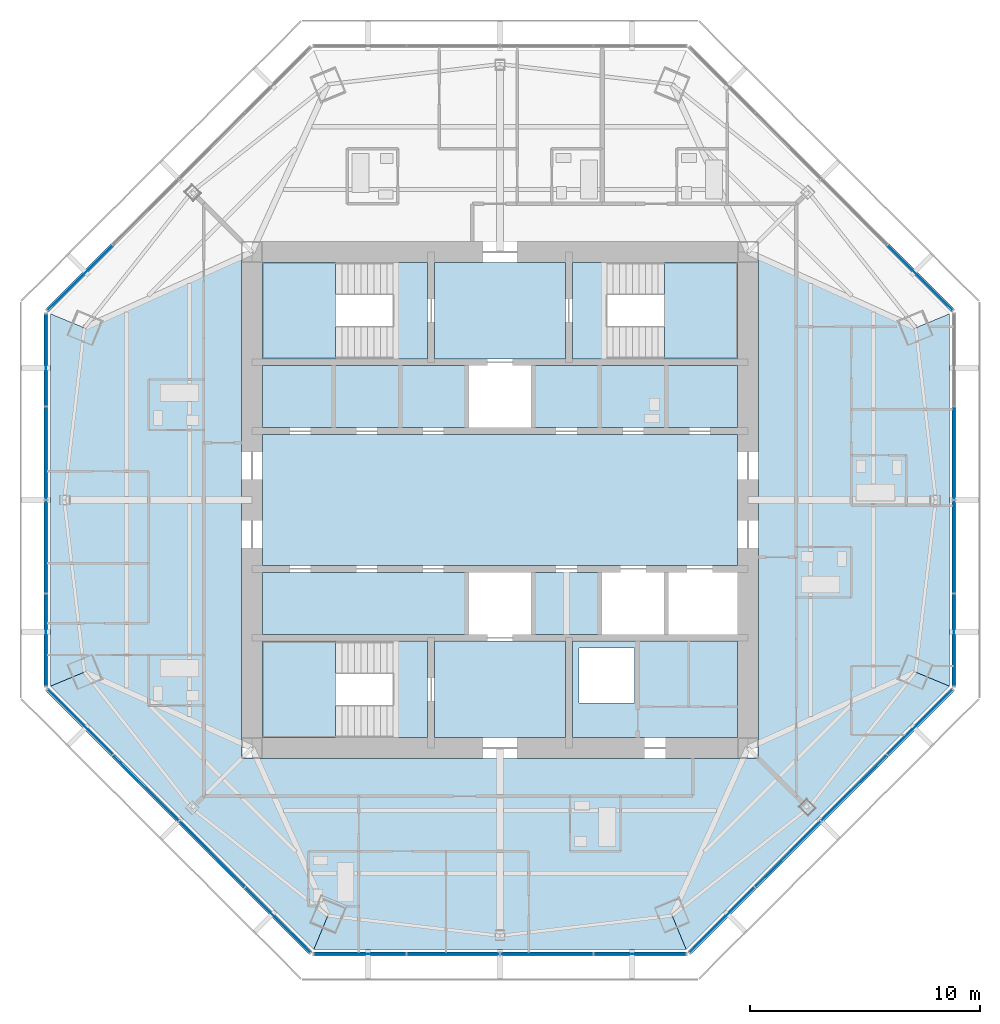
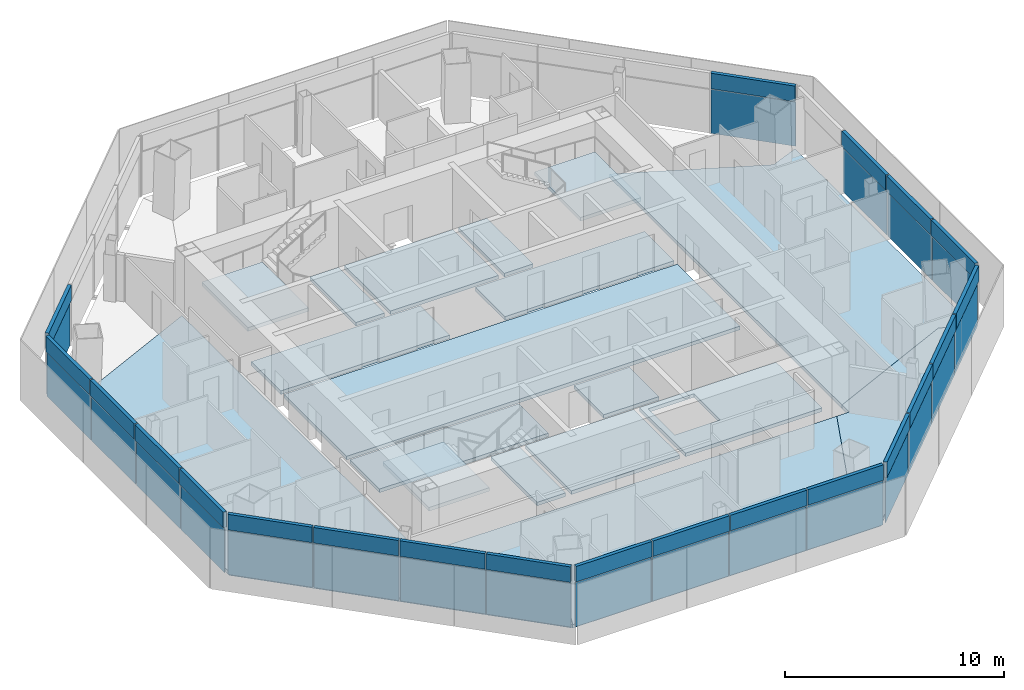
# One storey, part 7 of 15: 42 plates, 19 slabs, 10 elements without a shape of their own.
"""IFC4 building model written with IfcOpenShell, lengths in metres."""

from ifc_helpers import new_model, si_unit, direction, frame, origin, origin_2d, place, context, subcontext, project, spatial, polyline, rectangle, outline, extrude, source, transform, mapped, material, layer, layer_set, type_object, type_shapes, element, aggregate, save


model = new_model("IFC4")

# Units and contexts
model_context = context("Model", 3, precision=1e-05, world=origin(), true_north=direction((0.0, 1.0)))
body_context = subcontext(model_context, "Body", "Model", "MODEL_VIEW")
ifc_project = project(units=[si_unit("LENGTHUNIT", "METRE"), si_unit("AREAUNIT", "SQUARE_METRE"), si_unit("VOLUMEUNIT", "CUBIC_METRE"), si_unit("PLANEANGLEUNIT", "RADIAN"), si_unit("MASSUNIT", "GRAM", prefix="KILO")], contexts=[model_context])

# Site, building, storey
site_placement = place(None, origin())
site = spatial("IfcSite", under=ifc_project, at=site_placement, CompositionType="ELEMENT")
building_placement = place(site_placement, origin())
building = spatial("IfcBuilding", under=site, at=building_placement, Name="Mashrafa Tower", CompositionType="ELEMENT")
storey_placement = place(building_placement, frame((0.0, 0.0, 291.199951171875)))
storey = spatial("IfcBuildingStorey", under=building, at=storey_placement, Name="L71", CompositionType="ELEMENT", Elevation=291.199951171875)

# Slabs
ifc_material_1 = material(Name="Concrete C35/45", Category="concrete")
ifc_layer_1 = layer(ifc_material_1, 0.199951171875)
ifc_layer_set_1 = layer_set([ifc_layer_1], Name="Floor slab 200")
slab_type_1 = type_object("IfcSlabType", Name="Floor slab 200", PredefinedType="FLOOR", material=ifc_layer_set_1)
slab_1_placement = place(storey_placement, frame((0.0, 0.0, -0.199951171875)))
element("IfcSlab", 1, at=slab_1_placement, inside=storey, type_object=slab_type_1, Name="Floor slab L71 east bay", PredefinedType="FLOOR", context=body_context, shape_type="SweptSolid", body=[
    extrude(outline(polyline([(19.5771484375, -8.109130859375), (18.1044921875, -7.4990234375), (11.25, -10.5966796875), (11.25, 10.5966796875), (18.1044921875, 7.4990234375), (19.5771484375, 8.109130859375), (19.5771484375, -8.109130859375)])), origin(), (0.0, 0.0, 1.0), 0.199951171875),
])
slab_2_placement = place(storey_placement, frame((0.0, 0.0, -0.199951171875)))
element("IfcSlab", 2, at=slab_2_placement, inside=storey, type_object=slab_type_1, Name="Floor slab L71 west bay", PredefinedType="FLOOR", context=body_context, shape_type="SweptSolid", body=[
    extrude(outline(polyline([(-19.5771484375, 8.109130859375), (-18.1044921875, 7.4990234375), (-11.25, 10.5966796875), (-11.25, -10.5966796875), (-18.1044921875, -7.4990234375), (-19.5771484375, -8.109130859375), (-19.5771484375, 8.109130859375)])), origin(), (0.0, 0.0, 1.0), 0.199951171875),
])
slab_3_placement = place(storey_placement, frame((0.0, 0.0, -0.199951171875)))
element("IfcSlab", 3, at=slab_3_placement, inside=storey, type_object=slab_type_1, Name="Floor slab L71 south-west bay", PredefinedType="FLOOR", context=body_context, shape_type="SweptSolid", body=[
    extrude(outline(polyline([(-8.109130859375, -19.5771484375), (-19.5771484375, -8.109130859375), (-19.5771484375, -8.109130859375), (-18.1044921875, -7.4990234375), (-11.25, -10.5966796875), (-11.25, -11.25), (-10.5966796875, -11.25), (-7.4990234375, -18.1044921875), (-8.109130859375, -19.5771484375), (-8.109130859375, -19.5771484375)])), origin(), (0.0, 0.0, 1.0), 0.199951171875),
])
slab_4_placement = place(storey_placement, frame((0.0, 0.0, -0.199951171875)))
element("IfcSlab", 4, at=slab_4_placement, inside=storey, type_object=slab_type_1, Name="Floor slab L71 south bay", PredefinedType="FLOOR", context=body_context, shape_type="SweptSolid", body=[
    extrude(outline(polyline([(-8.109130859375, -19.5771484375), (-7.4990234375, -18.1044921875), (-10.5966796875, -11.25), (10.5966796875, -11.25), (7.4990234375, -18.1044921875), (8.109130859375, -19.5771484375), (-8.109130859375, -19.5771484375)])), origin(), (0.0, 0.0, 1.0), 0.199951171875),
])
slab_5_placement = place(storey_placement, frame((0.0, 0.0, -0.199951171875)))
element("IfcSlab", 5, at=slab_5_placement, inside=storey, type_object=slab_type_1, Name="Floor slab L71 south-east bay", PredefinedType="FLOOR", context=body_context, shape_type="SweptSolid", body=[
    extrude(outline(polyline([(8.109130859375, -19.5771484375), (7.4990234375, -18.1044921875), (10.5966796875, -11.25), (11.25, -11.25), (11.25, -10.5966796875), (18.1044921875, -7.4990234375), (19.5771484375, -8.109130859375), (19.5771484375, -8.109130859375), (8.109130859375, -19.5771484375), (8.109130859375, -19.5771484375)])), origin(), (0.0, 0.0, 1.0), 0.199951171875),
])
slab_6_placement = place(storey_placement, frame((0.0, 0.0, -0.199951171875)))
element("IfcSlab", 6, at=slab_6_placement, inside=storey, type_object=slab_type_1, Name="Core floor lift hall L71", PredefinedType="FLOOR", context=body_context, shape_type="SweptSolid", body=[
    extrude(outline(polyline([(-10.35009765625, 2.85009765625), (10.35009765625, 2.85009765625), (10.35009765625, -2.85009765625), (-10.35009765625, -2.85009765625), (-10.35009765625, 2.85009765625)])), origin(), (0.0, 0.0, 1.0), 0.199951171875),
])
slab_7_placement = place(storey_placement, frame((0.0, 0.0, -0.199951171875)))
element("IfcSlab", 7, at=slab_7_placement, inside=storey, type_object=slab_type_1, Name="Core floor riser and electrical band L71", PredefinedType="FLOOR", context=body_context, shape_type="SweptSolid", body=[
    extrude(outline(polyline([(10.35009765625, -6.14990234375), (10.35009765625, -10.35009765625), (3.14990234375, -10.35009765625), (3.14990234375, -6.14990234375), (10.35009765625, -6.14990234375)]), holes=[polyline([(3.449951171875, -8.85009765625), (5.85009765625, -8.85009765625), (5.85009765625, -6.449951171875), (3.449951171875, -6.449951171875), (3.449951171875, -8.85009765625)])]), origin(), (0.0, 0.0, 1.0), 0.199951171875),
])
slab_8_placement = place(storey_placement, frame((0.0, 0.0, -0.199951171875)))
element("IfcSlab", 8, at=slab_8_placement, inside=storey, type_object=slab_type_1, Name="Core floor lift cell L71", PredefinedType="FLOOR", context=body_context, shape_type="SweptSolid", body=[
    extrude(outline(polyline([(10.35009765625, 5.85009765625), (10.35009765625, 3.14990234375), (1.449951171875, 3.14990234375), (1.449951171875, 5.85009765625), (10.35009765625, 5.85009765625)])), origin(), (0.0, 0.0, 1.0), 0.199951171875),
])
slab_9_placement = place(storey_placement, frame((0.0, 0.0, -0.199951171875)))
element("IfcSlab", 9, at=slab_9_placement, inside=storey, type_object=slab_type_1, Name="Core floor lift cell L71", PredefinedType="FLOOR", context=body_context, shape_type="SweptSolid", body=[
    extrude(outline(polyline([(-1.449951171875, 3.14990234375), (-10.35009765625, 3.14990234375), (-10.35009765625, 5.85009765625), (-1.449951171875, 5.85009765625), (-1.449951171875, 3.14990234375)])), origin(), (0.0, 0.0, 1.0), 0.199951171875),
])
slab_10_placement = place(storey_placement, frame((0.0, 0.0, -0.199951171875)))
element("IfcSlab", 10, at=slab_10_placement, inside=storey, type_object=slab_type_1, Name="Core floor lift cell L71", PredefinedType="FLOOR", context=body_context, shape_type="SweptSolid", body=[
    extrude(outline(polyline([(-1.449951171875, -3.14990234375), (-1.449951171875, -5.85009765625), (-10.35009765625, -5.85009765625), (-10.35009765625, -3.14990234375), (-1.449951171875, -3.14990234375)])), origin(), (0.0, 0.0, 1.0), 0.199951171875),
])
slab_11_placement = place(storey_placement, frame((0.0, 0.0, -0.199951171875)))
element("IfcSlab", 11, at=slab_11_placement, inside=storey, type_object=slab_type_1, Name="Core floor fire-fighting lobby south L71", PredefinedType="FLOOR", context=body_context, shape_type="SweptSolid", body=[
    extrude(outline(polyline([(2.85009765625, -6.14990234375), (2.85009765625, -10.35009765625), (-2.85009765625, -10.35009765625), (-2.85009765625, -6.14990234375), (2.85009765625, -6.14990234375)])), origin(), (0.0, 0.0, 1.0), 0.199951171875),
])
slab_12_placement = place(storey_placement, frame((0.0, 0.0, -0.199951171875)))
element("IfcSlab", 12, at=slab_12_placement, inside=storey, type_object=slab_type_1, Name="Core floor fire-fighting lobby north L71", PredefinedType="FLOOR", context=body_context, shape_type="SweptSolid", body=[
    extrude(outline(polyline([(-2.85009765625, 10.35009765625), (2.85009765625, 10.35009765625), (2.85009765625, 6.14990234375), (-2.85009765625, 6.14990234375), (-2.85009765625, 10.35009765625)])), origin(), (0.0, 0.0, 1.0), 0.199951171875),
])
slab_13_placement = place(storey_placement, frame((0.0, 0.0, -0.199951171875)))
element("IfcSlab", 13, at=slab_13_placement, inside=storey, type_object=slab_type_1, Name="Core floor lift cell L71", PredefinedType="FLOOR", context=body_context, shape_type="SweptSolid", body=[
    extrude(outline(polyline([(4.35009765625, -3.14990234375), (4.35009765625, -5.85009765625), (1.449951171875, -5.85009765625), (1.449951171875, -3.14990234375), (4.35009765625, -3.14990234375)])), origin(), (0.0, 0.0, 1.0), 0.199951171875),
])

# Stair, slabs
ifc_material_2 = material(Name="Exit stair 1400")
stair_type = type_object("IfcStairType", Name="Exit stair 1400", PredefinedType="HALF_TURN_STAIR", material=ifc_material_2)
stair_1_placement = place(storey_placement, origin())
stair_1 = element("IfcStair", 14, at=stair_1_placement, inside=storey, type_object=stair_type, Name="Stair S1 L71", PredefinedType="HALF_TURN_STAIR")
ifc_material_3 = material(Name="Concrete C32/40", Category="concrete")
ifc_layer_2 = layer(ifc_material_3, 0.199951171875)
ifc_layer_set_2 = layer_set([ifc_layer_2], Name="Stair landing 200")
slab_type_2 = type_object("IfcSlabType", Name="Stair landing 200", PredefinedType="LANDING", material=ifc_layer_set_2)
slab_14_placement = place(storey_placement, frame((0.0, 0.0, -0.199951171875)))
slab_14 = element("IfcSlab", 15, at=slab_14_placement, type_object=slab_type_2, Name="S1 landing 1", PredefinedType="LANDING", context=body_context, shape_type="SweptSolid", body=[
    extrude(outline(polyline([(-4.659912109375, 6.14990234375), (-3.14990234375, 6.14990234375), (-3.14990234375, 10.35009765625), (-4.659912109375, 10.35009765625), (-4.659912109375, 6.14990234375)])), origin(), (0.0, 0.0, 1.0), 0.199951171875),
])
slab_15_placement = place(storey_placement, frame((0.0, 0.0, 1.5)))
slab_15 = element("IfcSlab", 16, at=slab_15_placement, type_object=slab_type_2, Name="S1 landing 2", PredefinedType="LANDING", context=body_context, shape_type="SweptSolid", body=[
    extrude(outline(polyline([(-10.35009765625, 6.14990234375), (-7.159912109375, 6.14990234375), (-7.159912109375, 10.35009765625), (-10.35009765625, 10.35009765625), (-10.35009765625, 6.14990234375)])), origin(), (0.0, 0.0, 1.0), 0.199951171875),
])
aggregate(stair_1, [slab_14, slab_15])

stair_2_placement = place(storey_placement, origin())
stair_2 = element("IfcStair", 17, at=stair_2_placement, inside=storey, type_object=stair_type, Name="Stair S2 L71", PredefinedType="HALF_TURN_STAIR")
slab_16_placement = place(storey_placement, frame((0.0, 0.0, -0.199951171875)))
slab_16 = element("IfcSlab", 18, at=slab_16_placement, type_object=slab_type_2, Name="S2 landing 1", PredefinedType="LANDING", context=body_context, shape_type="SweptSolid", body=[
    extrude(outline(polyline([(3.14990234375, 6.14990234375), (4.659912109375, 6.14990234375), (4.659912109375, 10.35009765625), (3.14990234375, 10.35009765625), (3.14990234375, 6.14990234375)])), origin(), (0.0, 0.0, 1.0), 0.199951171875),
])
slab_17_placement = place(storey_placement, frame((0.0, 0.0, 1.5)))
slab_17 = element("IfcSlab", 19, at=slab_17_placement, type_object=slab_type_2, Name="S2 landing 2", PredefinedType="LANDING", context=body_context, shape_type="SweptSolid", body=[
    extrude(outline(polyline([(7.159912109375, 6.14990234375), (10.35009765625, 6.14990234375), (10.35009765625, 10.35009765625), (7.159912109375, 10.35009765625), (7.159912109375, 6.14990234375)])), origin(), (0.0, 0.0, 1.0), 0.199951171875),
])
aggregate(stair_2, [slab_16, slab_17])

stair_3_placement = place(storey_placement, origin())
stair_3 = element("IfcStair", 20, at=stair_3_placement, inside=storey, type_object=stair_type, Name="Stair S3 L71", PredefinedType="HALF_TURN_STAIR")
slab_18_placement = place(storey_placement, frame((0.0, 0.0, -0.199951171875)))
slab_18 = element("IfcSlab", 21, at=slab_18_placement, type_object=slab_type_2, Name="S3 landing 1", PredefinedType="LANDING", context=body_context, shape_type="SweptSolid", body=[
    extrude(outline(polyline([(-4.659912109375, -10.35009765625), (-3.14990234375, -10.35009765625), (-3.14990234375, -6.14990234375), (-4.659912109375, -6.14990234375), (-4.659912109375, -10.35009765625)])), origin(), (0.0, 0.0, 1.0), 0.199951171875),
])
slab_19_placement = place(storey_placement, frame((0.0, 0.0, 1.5)))
slab_19 = element("IfcSlab", 22, at=slab_19_placement, type_object=slab_type_2, Name="S3 landing 2", PredefinedType="LANDING", context=body_context, shape_type="SweptSolid", body=[
    extrude(outline(polyline([(-10.35009765625, -10.35009765625), (-7.159912109375, -10.35009765625), (-7.159912109375, -6.14990234375), (-10.35009765625, -6.14990234375), (-10.35009765625, -10.35009765625)])), origin(), (0.0, 0.0, 1.0), 0.199951171875),
])
aggregate(stair_3, [slab_18, slab_19])

# Curtain wall, plate
ifc_material_4 = material(Name="Unitised aluminium curtain wall", Category="aluminium")
curtain_wall_type = type_object("IfcCurtainWallType", Name="Apartment curtain wall, zone 4 CW-D 160 deep", PredefinedType="NOTDEFINED", material=ifc_material_4)
curtain_wall_1_placement = place(storey_placement, origin())
curtain_wall_1 = element("IfcCurtainWall", 23, at=curtain_wall_1_placement, inside=storey, type_object=curtain_wall_type, Name="Apartment curtain wall, zone 4 L71 east", PredefinedType="NOTDEFINED")
ifc_material_5 = material(Name="Insulated double glazing, acoustic", Category="glass")
ifc_layer_3 = layer(ifc_material_5, 0.028076171875)
ifc_layer_set_3 = layer_set([ifc_layer_3], Name="Vision panel CW-D 28")
plate_type_1 = type_object("IfcPlateType", Name="Vision panel CW-D 28", PredefinedType="CURTAIN_PANEL", material=ifc_layer_set_3)
shared_shape_1 = source(origin(), body_context, "Body", "SweptSolid", [
    extrude(rectangle(XDim=3.984375, YDim=0.028076171875, at=origin_2d()), origin(), (0.0, 0.0, 1.0), 2.46240234375),
])
plate_1_placement = place(storey_placement, frame((19.777099609375, -6.0966796875, 0.0), z_axis=(0.0, 0.0, 1.0), x_axis=(0.0, 1.0, 0.0)))
plate_1 = element("IfcPlate", 24, at=plate_1_placement, type_object=plate_type_1, Name="CW-D vision panel 1", PredefinedType="CURTAIN_PANEL", context=body_context, shape_type="MappedRepresentation", body=[
    mapped(shared_shape_1, transform((0.0, 0.0, 0.0))),
])

curtain_wall_2_placement = place(storey_placement, origin())
curtain_wall_2 = element("IfcCurtainWall", 25, at=curtain_wall_2_placement, inside=storey, type_object=curtain_wall_type, Name="Apartment curtain wall, zone 4 L71 north-east", PredefinedType="NOTDEFINED")
plate_2_placement = place(storey_placement, frame((18.29541015625, 9.673583984375, 0.0), z_axis=(0.0, 0.0, 1.0), x_axis=(-0.707106781187, 0.707106781187, 0.0)))
plate_2 = element("IfcPlate", 26, at=plate_2_placement, type_object=plate_type_1, Name="CW-D vision panel 1", PredefinedType="CURTAIN_PANEL", context=body_context, shape_type="MappedRepresentation", body=[
    mapped(shared_shape_1, transform((0.0, 0.0, 0.0))),
])

curtain_wall_3_placement = place(storey_placement, origin())
curtain_wall_3 = element("IfcCurtainWall", 27, at=curtain_wall_3_placement, inside=storey, type_object=curtain_wall_type, Name="Apartment curtain wall, zone 4 L71 north-west", PredefinedType="NOTDEFINED")
plate_3_placement = place(storey_placement, frame((-18.29541015625, 9.673583984375, 0.0), z_axis=(0.0, 0.0, 1.0), x_axis=(-0.707106781187, -0.707106781187, 0.0)))
plate_3 = element("IfcPlate", 28, at=plate_3_placement, type_object=plate_type_1, Name="CW-D vision panel 4", PredefinedType="CURTAIN_PANEL", context=body_context, shape_type="MappedRepresentation", body=[
    mapped(shared_shape_1, transform((0.0, 0.0, 0.0))),
])

# Curtain wall, plates
curtain_wall_4_placement = place(storey_placement, origin())
curtain_wall_4 = element("IfcCurtainWall", 29, at=curtain_wall_4_placement, inside=storey, type_object=curtain_wall_type, Name="Apartment curtain wall, zone 4 L71 west", PredefinedType="NOTDEFINED")
plate_4_placement = place(storey_placement, frame((-19.777099609375, 6.0966796875, 0.0), z_axis=(0.0, 0.0, 1.0), x_axis=(0.0, -1.0, 0.0)))
plate_4 = element("IfcPlate", 30, at=plate_4_placement, type_object=plate_type_1, Name="CW-D vision panel 1", PredefinedType="CURTAIN_PANEL", context=body_context, shape_type="MappedRepresentation", body=[
    mapped(shared_shape_1, transform((0.0, 0.0, 0.0))),
])
plate_5_placement = place(storey_placement, frame((-19.777099609375, -6.0966796875, 0.0), z_axis=(0.0, 0.0, 1.0), x_axis=(0.0, -1.0, 0.0)))
plate_5 = element("IfcPlate", 31, at=plate_5_placement, type_object=plate_type_1, Name="CW-D vision panel 4", PredefinedType="CURTAIN_PANEL", context=body_context, shape_type="MappedRepresentation", body=[
    mapped(shared_shape_1, transform((0.0, 0.0, 0.0))),
])

curtain_wall_5_placement = place(storey_placement, origin())
curtain_wall_5 = element("IfcCurtainWall", 32, at=curtain_wall_5_placement, inside=storey, type_object=curtain_wall_type, Name="Apartment curtain wall, zone 4 L71 south-west", PredefinedType="NOTDEFINED")
plate_6_placement = place(storey_placement, frame((-18.29541015625, -9.673583984375, 0.0), z_axis=(0.0, 0.0, 1.0), x_axis=(0.707106781187, -0.707106781187, 0.0)))
plate_6 = element("IfcPlate", 33, at=plate_6_placement, type_object=plate_type_1, Name="CW-D vision panel 1", PredefinedType="CURTAIN_PANEL", context=body_context, shape_type="MappedRepresentation", body=[
    mapped(shared_shape_1, transform((0.0, 0.0, 0.0))),
])
plate_7_placement = place(storey_placement, frame((-9.673583984375, -18.29541015625, 0.0), z_axis=(0.0, 0.0, 1.0), x_axis=(0.707106781187, -0.707106781187, 0.0)))
plate_7 = element("IfcPlate", 34, at=plate_7_placement, type_object=plate_type_1, Name="CW-D vision panel 4", PredefinedType="CURTAIN_PANEL", context=body_context, shape_type="MappedRepresentation", body=[
    mapped(shared_shape_1, transform((0.0, 0.0, 0.0))),
])

curtain_wall_6_placement = place(storey_placement, origin())
curtain_wall_6 = element("IfcCurtainWall", 35, at=curtain_wall_6_placement, inside=storey, type_object=curtain_wall_type, Name="Apartment curtain wall, zone 4 L71 south", PredefinedType="NOTDEFINED")
plate_8_placement = place(storey_placement, frame((-6.0966796875, -19.777099609375, 0.0), z_axis=(0.0, 0.0, 1.0), x_axis=(1.0, 0.0, 0.0)))
plate_8 = element("IfcPlate", 36, at=plate_8_placement, type_object=plate_type_1, Name="CW-D vision panel 1", PredefinedType="CURTAIN_PANEL", context=body_context, shape_type="MappedRepresentation", body=[
    mapped(shared_shape_1, transform((0.0, 0.0, 0.0))),
])
plate_9_placement = place(storey_placement, frame((6.0966796875, -19.777099609375, 0.0), z_axis=(0.0, 0.0, 1.0), x_axis=(1.0, 0.0, 0.0)))
plate_9 = element("IfcPlate", 37, at=plate_9_placement, type_object=plate_type_1, Name="CW-D vision panel 4", PredefinedType="CURTAIN_PANEL", context=body_context, shape_type="MappedRepresentation", body=[
    mapped(shared_shape_1, transform((0.0, 0.0, 0.0))),
])

curtain_wall_7_placement = place(storey_placement, origin())
curtain_wall_7 = element("IfcCurtainWall", 38, at=curtain_wall_7_placement, inside=storey, type_object=curtain_wall_type, Name="Apartment curtain wall, zone 4 L71 south-east", PredefinedType="NOTDEFINED")
plate_10_placement = place(storey_placement, frame((9.673583984375, -18.29541015625, 0.0), z_axis=(0.0, 0.0, 1.0), x_axis=(0.707106781187, 0.707106781187, 0.0)))
plate_10 = element("IfcPlate", 39, at=plate_10_placement, type_object=plate_type_1, Name="CW-D vision panel 1", PredefinedType="CURTAIN_PANEL", context=body_context, shape_type="MappedRepresentation", body=[
    mapped(shared_shape_1, transform((0.0, 0.0, 0.0))),
])
plate_11_placement = place(storey_placement, frame((18.29541015625, -9.673583984375, 0.0), z_axis=(0.0, 0.0, 1.0), x_axis=(0.707106781187, 0.707106781187, 0.0)))
plate_11 = element("IfcPlate", 40, at=plate_11_placement, type_object=plate_type_1, Name="CW-D vision panel 4", PredefinedType="CURTAIN_PANEL", context=body_context, shape_type="MappedRepresentation", body=[
    mapped(shared_shape_1, transform((0.0, 0.0, 0.0))),
])

# Plate
ifc_material_6 = material(Name="Insulated bronze aluminium spandrel panel", Category="aluminium")
ifc_layer_4 = layer(ifc_material_6, 0.179931640625)
ifc_layer_set_4 = layer_set([ifc_layer_4], Name="Spandrel panel CW-D 180")
plate_type_2 = type_object("IfcPlateType", Name="Spandrel panel CW-D 180", PredefinedType="CURTAIN_PANEL", material=ifc_layer_set_4)
shared_shape_2 = source(origin(), body_context, "Body", "SweptSolid", [
    extrude(rectangle(XDim=3.984375, YDim=0.179931640625, at=origin_2d()), origin(), (0.0, 0.0, 1.0), 0.862548828125),
])
plate_12_placement = place(storey_placement, frame((19.777099609375, -6.0966796875, 2.53759765625), z_axis=(0.0, 0.0, 1.0), x_axis=(0.0, 1.0, 0.0)))
plate_12 = element("IfcPlate", 41, at=plate_12_placement, type_object=plate_type_2, Name="CW-D spandrel panel 1", PredefinedType="CURTAIN_PANEL", context=body_context, shape_type="MappedRepresentation", body=[
    mapped(shared_shape_2, transform((0.0, 0.0, 0.0))),
])

plate_13_placement = place(storey_placement, frame((18.29541015625, 9.673583984375, 2.53759765625), z_axis=(0.0, 0.0, 1.0), x_axis=(-0.707106781187, 0.707106781187, 0.0)))
plate_13 = element("IfcPlate", 42, at=plate_13_placement, type_object=plate_type_2, Name="CW-D spandrel panel 1", PredefinedType="CURTAIN_PANEL", context=body_context, shape_type="MappedRepresentation", body=[
    mapped(shared_shape_2, transform((0.0, 0.0, 0.0))),
])

aggregate(curtain_wall_2, [plate_2, plate_13])

plate_14_placement = place(storey_placement, frame((-18.29541015625, 9.673583984375, 2.53759765625), z_axis=(0.0, 0.0, 1.0), x_axis=(-0.707106781187, -0.707106781187, 0.0)))
plate_14 = element("IfcPlate", 43, at=plate_14_placement, type_object=plate_type_2, Name="CW-D spandrel panel 4", PredefinedType="CURTAIN_PANEL", context=body_context, shape_type="MappedRepresentation", body=[
    mapped(shared_shape_2, transform((0.0, 0.0, 0.0))),
])

aggregate(curtain_wall_3, [plate_3, plate_14])

plate_15_placement = place(storey_placement, frame((-19.777099609375, 6.0966796875, 2.53759765625), z_axis=(0.0, 0.0, 1.0), x_axis=(0.0, -1.0, 0.0)))
plate_15 = element("IfcPlate", 44, at=plate_15_placement, type_object=plate_type_2, Name="CW-D spandrel panel 1", PredefinedType="CURTAIN_PANEL", context=body_context, shape_type="MappedRepresentation", body=[
    mapped(shared_shape_2, transform((0.0, 0.0, 0.0))),
])

plate_16_placement = place(storey_placement, frame((-19.777099609375, -6.0966796875, 2.53759765625), z_axis=(0.0, 0.0, 1.0), x_axis=(0.0, -1.0, 0.0)))
plate_16 = element("IfcPlate", 45, at=plate_16_placement, type_object=plate_type_2, Name="CW-D spandrel panel 4", PredefinedType="CURTAIN_PANEL", context=body_context, shape_type="MappedRepresentation", body=[
    mapped(shared_shape_2, transform((0.0, 0.0, 0.0))),
])

plate_17_placement = place(storey_placement, frame((-18.29541015625, -9.673583984375, 2.53759765625), z_axis=(0.0, 0.0, 1.0), x_axis=(0.707106781187, -0.707106781187, 0.0)))
plate_17 = element("IfcPlate", 46, at=plate_17_placement, type_object=plate_type_2, Name="CW-D spandrel panel 1", PredefinedType="CURTAIN_PANEL", context=body_context, shape_type="MappedRepresentation", body=[
    mapped(shared_shape_2, transform((0.0, 0.0, 0.0))),
])

plate_18_placement = place(storey_placement, frame((-9.673583984375, -18.29541015625, 2.53759765625), z_axis=(0.0, 0.0, 1.0), x_axis=(0.707106781187, -0.707106781187, 0.0)))
plate_18 = element("IfcPlate", 47, at=plate_18_placement, type_object=plate_type_2, Name="CW-D spandrel panel 4", PredefinedType="CURTAIN_PANEL", context=body_context, shape_type="MappedRepresentation", body=[
    mapped(shared_shape_2, transform((0.0, 0.0, 0.0))),
])

plate_19_placement = place(storey_placement, frame((-6.0966796875, -19.777099609375, 2.53759765625), z_axis=(0.0, 0.0, 1.0), x_axis=(1.0, 0.0, 0.0)))
plate_19 = element("IfcPlate", 48, at=plate_19_placement, type_object=plate_type_2, Name="CW-D spandrel panel 1", PredefinedType="CURTAIN_PANEL", context=body_context, shape_type="MappedRepresentation", body=[
    mapped(shared_shape_2, transform((0.0, 0.0, 0.0))),
])

plate_20_placement = place(storey_placement, frame((6.0966796875, -19.777099609375, 2.53759765625), z_axis=(0.0, 0.0, 1.0), x_axis=(1.0, 0.0, 0.0)))
plate_20 = element("IfcPlate", 49, at=plate_20_placement, type_object=plate_type_2, Name="CW-D spandrel panel 4", PredefinedType="CURTAIN_PANEL", context=body_context, shape_type="MappedRepresentation", body=[
    mapped(shared_shape_2, transform((0.0, 0.0, 0.0))),
])

plate_21_placement = place(storey_placement, frame((9.673583984375, -18.29541015625, 2.53759765625), z_axis=(0.0, 0.0, 1.0), x_axis=(0.707106781187, 0.707106781187, 0.0)))
plate_21 = element("IfcPlate", 50, at=plate_21_placement, type_object=plate_type_2, Name="CW-D spandrel panel 1", PredefinedType="CURTAIN_PANEL", context=body_context, shape_type="MappedRepresentation", body=[
    mapped(shared_shape_2, transform((0.0, 0.0, 0.0))),
])

plate_22_placement = place(storey_placement, frame((18.29541015625, -9.673583984375, 2.53759765625), z_axis=(0.0, 0.0, 1.0), x_axis=(0.707106781187, 0.707106781187, 0.0)))
plate_22 = element("IfcPlate", 51, at=plate_22_placement, type_object=plate_type_2, Name="CW-D spandrel panel 4", PredefinedType="CURTAIN_PANEL", context=body_context, shape_type="MappedRepresentation", body=[
    mapped(shared_shape_2, transform((0.0, 0.0, 0.0))),
])

shared_shape_3 = source(origin(), body_context, "Body", "SweptSolid", [
    extrude(rectangle(XDim=4.014404296875, YDim=0.028076171875, at=origin_2d()), origin(), (0.0, 0.0, 1.0), 2.46240234375),
])
type_shapes(plate_type_1, [shared_shape_1, shared_shape_3])
plate_23_placement = place(storey_placement, frame((19.777099609375, -2.037109375, 0.0), z_axis=(0.0, 0.0, 1.0), x_axis=(0.0, 1.0, 0.0)))
plate_23 = element("IfcPlate", 52, at=plate_23_placement, type_object=plate_type_1, Name="CW-D vision panel 2", PredefinedType="CURTAIN_PANEL", context=body_context, shape_type="MappedRepresentation", body=[
    mapped(shared_shape_3, transform((0.0, 0.0, 0.0))),
])

plate_24_placement = place(storey_placement, frame((19.777099609375, 2.037109375, 0.0), z_axis=(0.0, 0.0, 1.0), x_axis=(0.0, 1.0, 0.0)))
plate_24 = element("IfcPlate", 53, at=plate_24_placement, type_object=plate_type_1, Name="CW-D vision panel 3", PredefinedType="CURTAIN_PANEL", context=body_context, shape_type="MappedRepresentation", body=[
    mapped(shared_shape_3, transform((0.0, 0.0, 0.0))),
])

plate_25_placement = place(storey_placement, frame((-19.777099609375, 2.037109375, 0.0), z_axis=(0.0, 0.0, 1.0), x_axis=(0.0, -1.0, 0.0)))
plate_25 = element("IfcPlate", 54, at=plate_25_placement, type_object=plate_type_1, Name="CW-D vision panel 2", PredefinedType="CURTAIN_PANEL", context=body_context, shape_type="MappedRepresentation", body=[
    mapped(shared_shape_3, transform((0.0, 0.0, 0.0))),
])

plate_26_placement = place(storey_placement, frame((-19.777099609375, -2.037109375, 0.0), z_axis=(0.0, 0.0, 1.0), x_axis=(0.0, -1.0, 0.0)))
plate_26 = element("IfcPlate", 55, at=plate_26_placement, type_object=plate_type_1, Name="CW-D vision panel 3", PredefinedType="CURTAIN_PANEL", context=body_context, shape_type="MappedRepresentation", body=[
    mapped(shared_shape_3, transform((0.0, 0.0, 0.0))),
])

plate_27_placement = place(storey_placement, frame((-15.425048828125, -12.5439453125, 0.0), z_axis=(0.0, 0.0, 1.0), x_axis=(0.707106781187, -0.707106781187, 0.0)))
plate_27 = element("IfcPlate", 56, at=plate_27_placement, type_object=plate_type_1, Name="CW-D vision panel 2", PredefinedType="CURTAIN_PANEL", context=body_context, shape_type="MappedRepresentation", body=[
    mapped(shared_shape_3, transform((0.0, 0.0, 0.0))),
])

plate_28_placement = place(storey_placement, frame((-12.5439453125, -15.425048828125, 0.0), z_axis=(0.0, 0.0, 1.0), x_axis=(0.707106781187, -0.707106781187, 0.0)))
plate_28 = element("IfcPlate", 57, at=plate_28_placement, type_object=plate_type_1, Name="CW-D vision panel 3", PredefinedType="CURTAIN_PANEL", context=body_context, shape_type="MappedRepresentation", body=[
    mapped(shared_shape_3, transform((0.0, 0.0, 0.0))),
])

plate_29_placement = place(storey_placement, frame((-2.037109375, -19.777099609375, 0.0), z_axis=(0.0, 0.0, 1.0), x_axis=(1.0, 0.0, 0.0)))
plate_29 = element("IfcPlate", 58, at=plate_29_placement, type_object=plate_type_1, Name="CW-D vision panel 2", PredefinedType="CURTAIN_PANEL", context=body_context, shape_type="MappedRepresentation", body=[
    mapped(shared_shape_3, transform((0.0, 0.0, 0.0))),
])

plate_30_placement = place(storey_placement, frame((2.037109375, -19.777099609375, 0.0), z_axis=(0.0, 0.0, 1.0), x_axis=(1.0, 0.0, 0.0)))
plate_30 = element("IfcPlate", 59, at=plate_30_placement, type_object=plate_type_1, Name="CW-D vision panel 3", PredefinedType="CURTAIN_PANEL", context=body_context, shape_type="MappedRepresentation", body=[
    mapped(shared_shape_3, transform((0.0, 0.0, 0.0))),
])

plate_31_placement = place(storey_placement, frame((12.5439453125, -15.425048828125, 0.0), z_axis=(0.0, 0.0, 1.0), x_axis=(0.707106781187, 0.707106781187, 0.0)))
plate_31 = element("IfcPlate", 60, at=plate_31_placement, type_object=plate_type_1, Name="CW-D vision panel 2", PredefinedType="CURTAIN_PANEL", context=body_context, shape_type="MappedRepresentation", body=[
    mapped(shared_shape_3, transform((0.0, 0.0, 0.0))),
])

plate_32_placement = place(storey_placement, frame((15.425048828125, -12.5439453125, 0.0), z_axis=(0.0, 0.0, 1.0), x_axis=(0.707106781187, 0.707106781187, 0.0)))
plate_32 = element("IfcPlate", 61, at=plate_32_placement, type_object=plate_type_1, Name="CW-D vision panel 3", PredefinedType="CURTAIN_PANEL", context=body_context, shape_type="MappedRepresentation", body=[
    mapped(shared_shape_3, transform((0.0, 0.0, 0.0))),
])

shared_shape_4 = source(origin(), body_context, "Body", "SweptSolid", [
    extrude(rectangle(XDim=4.014404296875, YDim=0.179931640625, at=origin_2d()), origin(), (0.0, 0.0, 1.0), 0.862548828125),
])
type_shapes(plate_type_2, [shared_shape_2, shared_shape_4])
plate_33_placement = place(storey_placement, frame((19.777099609375, -2.037109375, 2.53759765625), z_axis=(0.0, 0.0, 1.0), x_axis=(0.0, 1.0, 0.0)))
plate_33 = element("IfcPlate", 62, at=plate_33_placement, type_object=plate_type_2, Name="CW-D spandrel panel 2", PredefinedType="CURTAIN_PANEL", context=body_context, shape_type="MappedRepresentation", body=[
    mapped(shared_shape_4, transform((0.0, 0.0, 0.0))),
])

plate_34_placement = place(storey_placement, frame((19.777099609375, 2.037109375, 2.53759765625), z_axis=(0.0, 0.0, 1.0), x_axis=(0.0, 1.0, 0.0)))
plate_34 = element("IfcPlate", 63, at=plate_34_placement, type_object=plate_type_2, Name="CW-D spandrel panel 3", PredefinedType="CURTAIN_PANEL", context=body_context, shape_type="MappedRepresentation", body=[
    mapped(shared_shape_4, transform((0.0, 0.0, 0.0))),
])

aggregate(curtain_wall_1, [plate_1, plate_12, plate_23, plate_33, plate_24, plate_34])

plate_35_placement = place(storey_placement, frame((-19.777099609375, 2.037109375, 2.53759765625), z_axis=(0.0, 0.0, 1.0), x_axis=(0.0, -1.0, 0.0)))
plate_35 = element("IfcPlate", 64, at=plate_35_placement, type_object=plate_type_2, Name="CW-D spandrel panel 2", PredefinedType="CURTAIN_PANEL", context=body_context, shape_type="MappedRepresentation", body=[
    mapped(shared_shape_4, transform((0.0, 0.0, 0.0))),
])

plate_36_placement = place(storey_placement, frame((-19.777099609375, -2.037109375, 2.53759765625), z_axis=(0.0, 0.0, 1.0), x_axis=(0.0, -1.0, 0.0)))
plate_36 = element("IfcPlate", 65, at=plate_36_placement, type_object=plate_type_2, Name="CW-D spandrel panel 3", PredefinedType="CURTAIN_PANEL", context=body_context, shape_type="MappedRepresentation", body=[
    mapped(shared_shape_4, transform((0.0, 0.0, 0.0))),
])

aggregate(curtain_wall_4, [plate_4, plate_15, plate_25, plate_35, plate_26, plate_36, plate_5, plate_16])

plate_37_placement = place(storey_placement, frame((-15.425048828125, -12.5439453125, 2.53759765625), z_axis=(0.0, 0.0, 1.0), x_axis=(0.707106781187, -0.707106781187, 0.0)))
plate_37 = element("IfcPlate", 66, at=plate_37_placement, type_object=plate_type_2, Name="CW-D spandrel panel 2", PredefinedType="CURTAIN_PANEL", context=body_context, shape_type="MappedRepresentation", body=[
    mapped(shared_shape_4, transform((0.0, 0.0, 0.0))),
])

plate_38_placement = place(storey_placement, frame((-12.5439453125, -15.425048828125, 2.53759765625), z_axis=(0.0, 0.0, 1.0), x_axis=(0.707106781187, -0.707106781187, 0.0)))
plate_38 = element("IfcPlate", 67, at=plate_38_placement, type_object=plate_type_2, Name="CW-D spandrel panel 3", PredefinedType="CURTAIN_PANEL", context=body_context, shape_type="MappedRepresentation", body=[
    mapped(shared_shape_4, transform((0.0, 0.0, 0.0))),
])

aggregate(curtain_wall_5, [plate_6, plate_17, plate_27, plate_37, plate_28, plate_38, plate_7, plate_18])

plate_39_placement = place(storey_placement, frame((-2.037109375, -19.777099609375, 2.53759765625), z_axis=(0.0, 0.0, 1.0), x_axis=(1.0, 0.0, 0.0)))
plate_39 = element("IfcPlate", 68, at=plate_39_placement, type_object=plate_type_2, Name="CW-D spandrel panel 2", PredefinedType="CURTAIN_PANEL", context=body_context, shape_type="MappedRepresentation", body=[
    mapped(shared_shape_4, transform((0.0, 0.0, 0.0))),
])

plate_40_placement = place(storey_placement, frame((2.037109375, -19.777099609375, 2.53759765625), z_axis=(0.0, 0.0, 1.0), x_axis=(1.0, 0.0, 0.0)))
plate_40 = element("IfcPlate", 69, at=plate_40_placement, type_object=plate_type_2, Name="CW-D spandrel panel 3", PredefinedType="CURTAIN_PANEL", context=body_context, shape_type="MappedRepresentation", body=[
    mapped(shared_shape_4, transform((0.0, 0.0, 0.0))),
])

aggregate(curtain_wall_6, [plate_8, plate_19, plate_29, plate_39, plate_30, plate_40, plate_9, plate_20])

plate_41_placement = place(storey_placement, frame((12.5439453125, -15.425048828125, 2.53759765625), z_axis=(0.0, 0.0, 1.0), x_axis=(0.707106781187, 0.707106781187, 0.0)))
plate_41 = element("IfcPlate", 70, at=plate_41_placement, type_object=plate_type_2, Name="CW-D spandrel panel 2", PredefinedType="CURTAIN_PANEL", context=body_context, shape_type="MappedRepresentation", body=[
    mapped(shared_shape_4, transform((0.0, 0.0, 0.0))),
])

plate_42_placement = place(storey_placement, frame((15.425048828125, -12.5439453125, 2.53759765625), z_axis=(0.0, 0.0, 1.0), x_axis=(0.707106781187, 0.707106781187, 0.0)))
plate_42 = element("IfcPlate", 71, at=plate_42_placement, type_object=plate_type_2, Name="CW-D spandrel panel 3", PredefinedType="CURTAIN_PANEL", context=body_context, shape_type="MappedRepresentation", body=[
    mapped(shared_shape_4, transform((0.0, 0.0, 0.0))),
])

aggregate(curtain_wall_7, [plate_10, plate_21, plate_31, plate_41, plate_32, plate_42, plate_11, plate_22])

save(model, "model.ifc")
